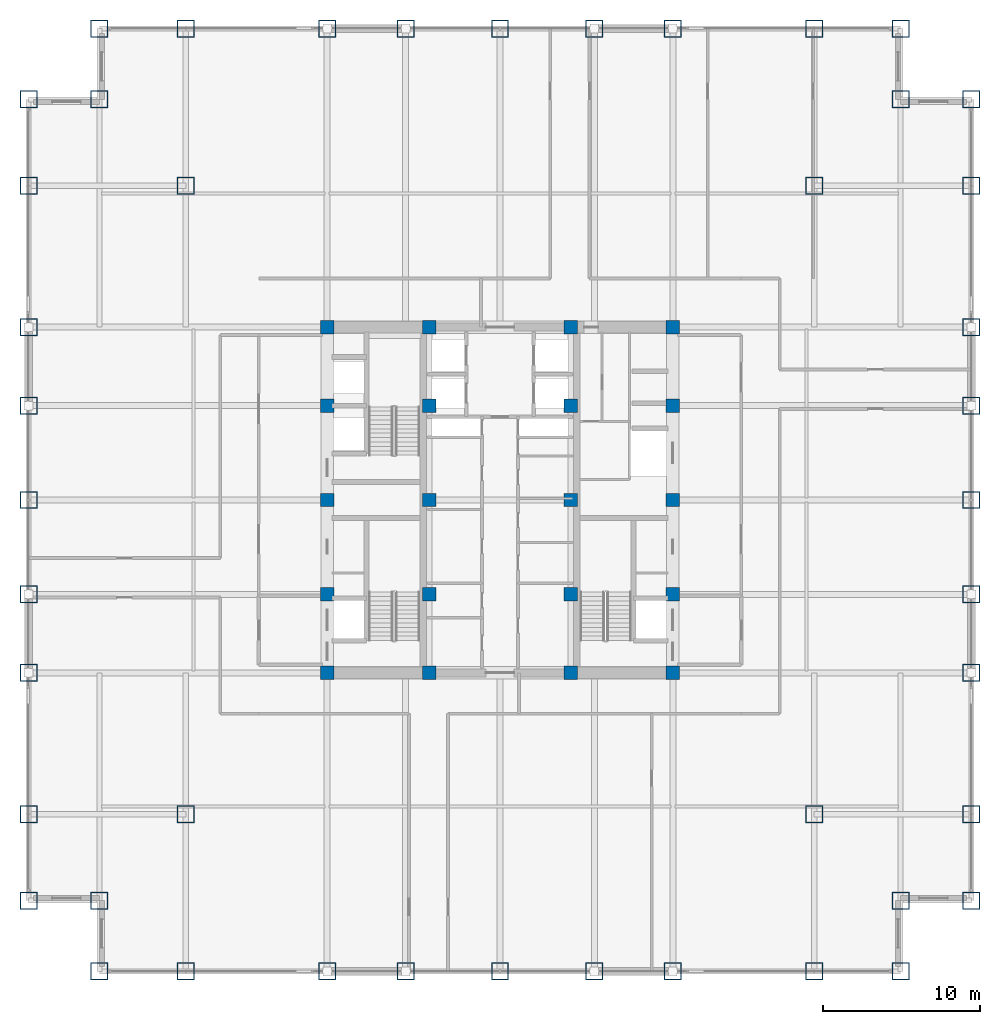
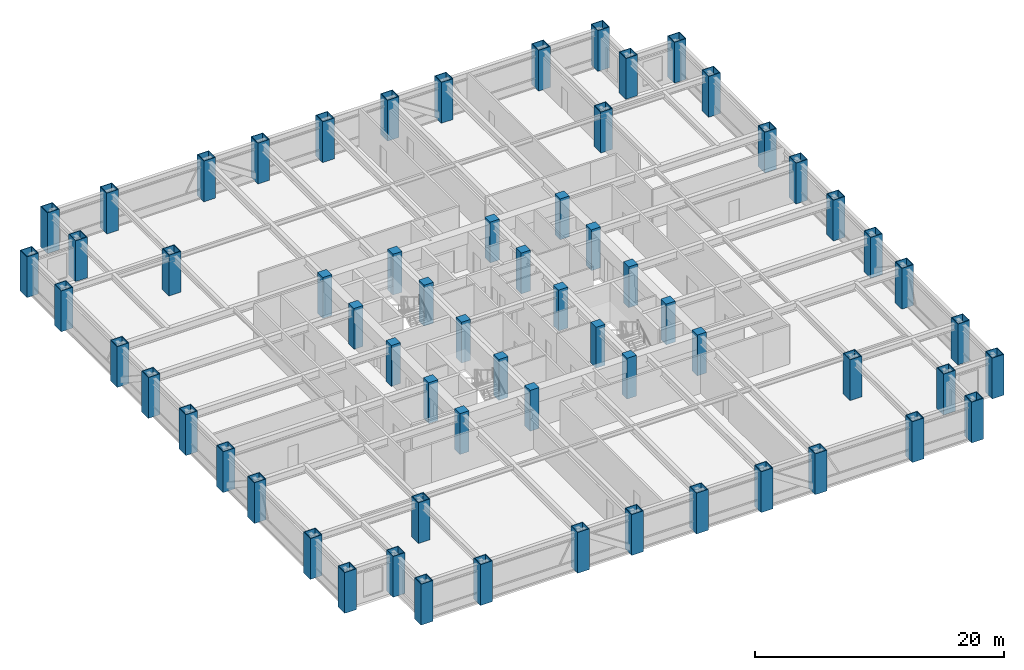
# One storey, part 1 of 24: 64 columns.
"""IFC4 building model written with IfcOpenShell, lengths in metres."""

from ifc_helpers import new_model, si_unit, direction, frame, origin, origin_2d, place, context, subcontext, project, spatial, rectangle, hollow_rectangle, extrude, source, transform, mapped, material, material_profile, profile_set, type_object, element, save


model = new_model("IFC4")

# Units and contexts
model_context = context("Model", 3, precision=1e-05, world=origin(), true_north=direction((0.0, 1.0)))
body_context = subcontext(model_context, "Body", "Model", "MODEL_VIEW")
ifc_project = project(units=[si_unit("LENGTHUNIT", "METRE"), si_unit("AREAUNIT", "SQUARE_METRE"), si_unit("VOLUMEUNIT", "CUBIC_METRE"), si_unit("PLANEANGLEUNIT", "RADIAN"), si_unit("MASSUNIT", "GRAM", prefix="KILO")], contexts=[model_context])

# Site, building, storey
site_placement = place(None, origin())
site = spatial("IfcSite", under=ifc_project, at=site_placement, CompositionType="ELEMENT")
building_placement = place(site_placement, origin())
building = spatial("IfcBuilding", under=site, at=building_placement, Name="Khorayat Bourse Tower", CompositionType="ELEMENT")
storey_placement = place(building_placement, frame((0.0, 0.0, 167.10009765625)))
storey = spatial("IfcBuildingStorey", under=building, at=storey_placement, Name="L38", CompositionType="ELEMENT", Elevation=167.10009765625)

# Columns
ifc_material_1 = material(Name="Steel EN 10025-4 S460M", Category="steel")
ifc_material_profile_1 = material_profile(ifc_material_1, hollow_rectangle(XDim=1.10009765625, YDim=1.10009765625, WallThickness=0.06005859375, at=origin_2d()), Name="BOX 1100x1100x60")
ifc_profile_set_1 = profile_set([ifc_material_profile_1], Name="Steel EN 10025-4 S460M")
column_type_1 = type_object("IfcColumnType", Name="COL-TUBE-1100", PredefinedType="COLUMN", material=ifc_profile_set_1)
shared_shape_1 = source(origin(), body_context, "Body", "SweptSolid", [
    extrude(hollow_rectangle(XDim=1.10009765625, YDim=1.10009765625, WallThickness=0.06005859375, at=origin_2d()), origin(), (0.0, 0.0, 1.0), 4.0),
])
for number, where, z_axis, x_axis, name in (
    (1, (-30.0, -25.5, 0.0), (0.0, 0.0, 1.0), (1.0, 0.0, 0.0), "L38 Column 001"),
    (2, (-30.0, -20.0, 0.0), (0.0, 0.0, 1.0), (1.0, 0.0, 0.0), "L38 Column 002"),
    (3, (-30.0, -11.0, 0.0), (0.0, 0.0, 1.0), (1.0, 0.0, 0.0), "L38 Column 003"),
    (4, (-30.0, -6.0, 0.0), (0.0, 0.0, 1.0), (1.0, 0.0, 0.0), "L38 Column 004"),
    (5, (-30.0, 0.0, 0.0), (0.0, 0.0, 1.0), (1.0, 0.0, 0.0), "L38 Column 005"),
    (6, (-30.0, 6.0, 0.0), (0.0, 0.0, 1.0), (1.0, 0.0, 0.0), "L38 Column 006"),
    (7, (-30.0, 11.0, 0.0), (0.0, 0.0, 1.0), (1.0, 0.0, 0.0), "L38 Column 007"),
    (8, (-30.0, 20.0, 0.0), (0.0, 0.0, 1.0), (1.0, 0.0, 0.0), "L38 Column 008"),
    (9, (-30.0, 25.5, 0.0), (0.0, 0.0, 1.0), (1.0, 0.0, 0.0), "L38 Column 009"),
    (10, (-25.5, -30.0, 0.0), (0.0, 0.0, 1.0), (1.0, 0.0, 0.0), "L38 Column 010"),
    (11, (-25.5, -25.5, 0.0), (0.0, 0.0, 1.0), (1.0, 0.0, 0.0), "L38 Column 011"),
    (12, (-25.5, 25.5, 0.0), (0.0, 0.0, 1.0), (1.0, 0.0, 0.0), "L38 Column 012"),
    (13, (-25.5, 30.0, 0.0), (0.0, 0.0, 1.0), (1.0, 0.0, 0.0), "L38 Column 013"),
    (14, (-20.0, -30.0, 0.0), (0.0, 0.0, 1.0), (1.0, 0.0, 0.0), "L38 Column 014"),
    (15, (-20.0, -20.0, 0.0), (0.0, 0.0, 1.0), (1.0, 0.0, 0.0), "L38 Column 015"),
    (16, (-20.0, 20.0, 0.0), (0.0, 0.0, 1.0), (1.0, 0.0, 0.0), "L38 Column 016"),
    (17, (-20.0, 30.0, 0.0), (0.0, 0.0, 1.0), (1.0, 0.0, 0.0), "L38 Column 017"),
    (18, (-11.0, -30.0, 0.0), (0.0, 0.0, 1.0), (1.0, 0.0, 0.0), "L38 Column 018"),
    (19, (-11.0, 30.0, 0.0), (0.0, 0.0, 1.0), (1.0, 0.0, 0.0), "L38 Column 024"),
    (20, (-6.0, -30.0, 0.0), (0.0, 0.0, 1.0), (1.0, 0.0, 0.0), "L38 Column 025"),
    (21, (-6.0, 30.0, 0.0), (0.0, 0.0, 1.0), (1.0, 0.0, 0.0), "L38 Column 026"),
    (22, (0.0, -30.0, 0.0), (0.0, 0.0, 1.0), (1.0, 0.0, 0.0), "L38 Column 032"),
    (23, (0.0, 30.0, 0.0), (0.0, 0.0, 1.0), (1.0, 0.0, 0.0), "L38 Column 033"),
    (24, (6.0, -30.0, 0.0), (0.0, 0.0, 1.0), (1.0, 0.0, 0.0), "L38 Column 039"),
    (25, (6.0, 30.0, 0.0), (0.0, 0.0, 1.0), (1.0, 0.0, 0.0), "L38 Column 040"),
    (26, (11.0, -30.0, 0.0), (0.0, 0.0, 1.0), (1.0, 0.0, 0.0), "L38 Column 041"),
    (27, (11.0, 30.0, 0.0), (0.0, 0.0, 1.0), (1.0, 0.0, 0.0), "L38 Column 047"),
    (28, (20.0, -30.0, 0.0), (0.0, 0.0, 1.0), (1.0, 0.0, 0.0), "L38 Column 048"),
    (29, (20.0, -20.0, 0.0), (0.0, 0.0, 1.0), (1.0, 0.0, 0.0), "L38 Column 049"),
    (30, (20.0, 20.0, 0.0), (0.0, 0.0, 1.0), (1.0, 0.0, 0.0), "L38 Column 050"),
    (31, (20.0, 30.0, 0.0), (0.0, 0.0, 1.0), (1.0, 0.0, 0.0), "L38 Column 051"),
    (32, (25.5, -30.0, 0.0), (0.0, 0.0, 1.0), (1.0, 0.0, 0.0), "L38 Column 052"),
    (33, (25.5, -25.5, 0.0), (0.0, 0.0, 1.0), (1.0, 0.0, 0.0), "L38 Column 053"),
    (34, (25.5, 25.5, 0.0), (0.0, 0.0, 1.0), (1.0, 0.0, 0.0), "L38 Column 054"),
    (35, (25.5, 30.0, 0.0), (0.0, 0.0, 1.0), (1.0, 0.0, 0.0), "L38 Column 055"),
    (36, (30.0, -25.5, 0.0), (0.0, 0.0, 1.0), (1.0, 0.0, 0.0), "L38 Column 056"),
    (37, (30.0, -20.0, 0.0), (0.0, 0.0, 1.0), (1.0, 0.0, 0.0), "L38 Column 057"),
    (38, (30.0, -11.0, 0.0), (0.0, 0.0, 1.0), (1.0, 0.0, 0.0), "L38 Column 058"),
    (39, (30.0, -6.0, 0.0), (0.0, 0.0, 1.0), (1.0, 0.0, 0.0), "L38 Column 059"),
    (40, (30.0, 0.0, 0.0), (0.0, 0.0, 1.0), (1.0, 0.0, 0.0), "L38 Column 060"),
    (41, (30.0, 6.0, 0.0), (0.0, 0.0, 1.0), (1.0, 0.0, 0.0), "L38 Column 061"),
    (42, (30.0, 11.0, 0.0), (0.0, 0.0, 1.0), (1.0, 0.0, 0.0), "L38 Column 062"),
    (43, (30.0, 20.0, 0.0), (0.0, 0.0, 1.0), (1.0, 0.0, 0.0), "L38 Column 063"),
    (44, (30.0, 25.5, 0.0), (0.0, 0.0, 1.0), (1.0, 0.0, 0.0), "L38 Column 064"),
):
    element("IfcColumn", number, at=place(storey_placement, frame(where, z_axis=z_axis, x_axis=x_axis)), inside=storey, type_object=column_type_1, Name=name, PredefinedType="COLUMN", context=body_context, shape_type="MappedRepresentation", body=[
        mapped(shared_shape_1, transform((0.0, 0.0, 0.0), scale=1.0)),
    ])
ifc_material_2 = material(Name="Concrete C60/75", Category="concrete")
ifc_material_profile_2 = material_profile(ifc_material_2, rectangle(XDim=0.85009765625, YDim=0.85009765625, at=origin_2d()), Name="RC 850x850")
ifc_profile_set_2 = profile_set([ifc_material_profile_2], Name="Concrete C60/75")
column_type_2 = type_object("IfcColumnType", Name="COL-CORE-850", PredefinedType="COLUMN", material=ifc_profile_set_2)
shared_shape_2 = source(origin(), body_context, "Body", "SweptSolid", [
    extrude(rectangle(XDim=0.85009765625, YDim=0.85009765625, at=origin_2d()), origin(), (0.0, 0.0, 1.0), 4.0),
])
for number, where, z_axis, x_axis, name in (
    (45, (-11.0, -11.0, 0.0), (0.0, 0.0, 1.0), (1.0, 0.0, 0.0), "L38 Column 019"),
    (46, (-11.0, -6.0, 0.0), (0.0, 0.0, 1.0), (1.0, 0.0, 0.0), "L38 Column 020"),
    (47, (-11.0, 0.0, 0.0), (0.0, 0.0, 1.0), (1.0, 0.0, 0.0), "L38 Column 021"),
    (48, (-11.0, 6.0, 0.0), (0.0, 0.0, 1.0), (1.0, 0.0, 0.0), "L38 Column 022"),
    (49, (-11.0, 11.0, 0.0), (0.0, 0.0, 1.0), (1.0, 0.0, 0.0), "L38 Column 023"),
    (50, (-4.5, -11.0, 0.0), (0.0, 0.0, 1.0), (1.0, 0.0, 0.0), "L38 Column 027"),
    (51, (-4.5, -6.0, 0.0), (0.0, 0.0, 1.0), (1.0, 0.0, 0.0), "L38 Column 028"),
    (52, (-4.5, 0.0, 0.0), (0.0, 0.0, 1.0), (1.0, 0.0, 0.0), "L38 Column 029"),
    (53, (-4.5, 6.0, 0.0), (0.0, 0.0, 1.0), (1.0, 0.0, 0.0), "L38 Column 030"),
    (54, (-4.5, 11.0, 0.0), (0.0, 0.0, 1.0), (1.0, 0.0, 0.0), "L38 Column 031"),
    (55, (4.5, -11.0, 0.0), (0.0, 0.0, 1.0), (1.0, 0.0, 0.0), "L38 Column 034"),
    (56, (4.5, -6.0, 0.0), (0.0, 0.0, 1.0), (1.0, 0.0, 0.0), "L38 Column 035"),
    (57, (4.5, 0.0, 0.0), (0.0, 0.0, 1.0), (1.0, 0.0, 0.0), "L38 Column 036"),
    (58, (4.5, 6.0, 0.0), (0.0, 0.0, 1.0), (1.0, 0.0, 0.0), "L38 Column 037"),
    (59, (4.5, 11.0, 0.0), (0.0, 0.0, 1.0), (1.0, 0.0, 0.0), "L38 Column 038"),
    (60, (11.0, -11.0, 0.0), (0.0, 0.0, 1.0), (1.0, 0.0, 0.0), "L38 Column 042"),
    (61, (11.0, -6.0, 0.0), (0.0, 0.0, 1.0), (1.0, 0.0, 0.0), "L38 Column 043"),
    (62, (11.0, 0.0, 0.0), (0.0, 0.0, 1.0), (1.0, 0.0, 0.0), "L38 Column 044"),
    (63, (11.0, 6.0, 0.0), (0.0, 0.0, 1.0), (1.0, 0.0, 0.0), "L38 Column 045"),
    (64, (11.0, 11.0, 0.0), (0.0, 0.0, 1.0), (1.0, 0.0, 0.0), "L38 Column 046"),
):
    element("IfcColumn", number, at=place(storey_placement, frame(where, z_axis=z_axis, x_axis=x_axis)), inside=storey, type_object=column_type_2, Name=name, PredefinedType="COLUMN", context=body_context, shape_type="MappedRepresentation", body=[
        mapped(shared_shape_2, transform((0.0, 0.0, 0.0), scale=1.0)),
    ])

save(model, "model.ifc")
